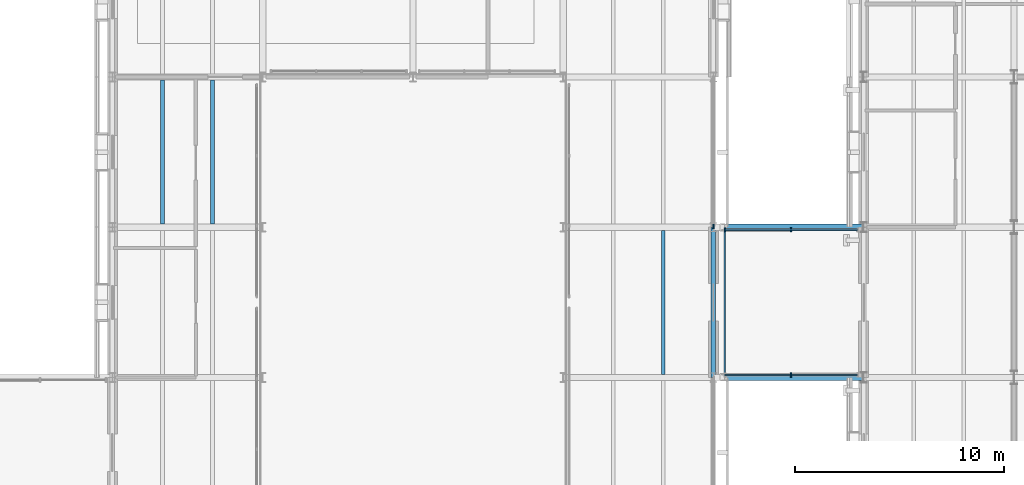
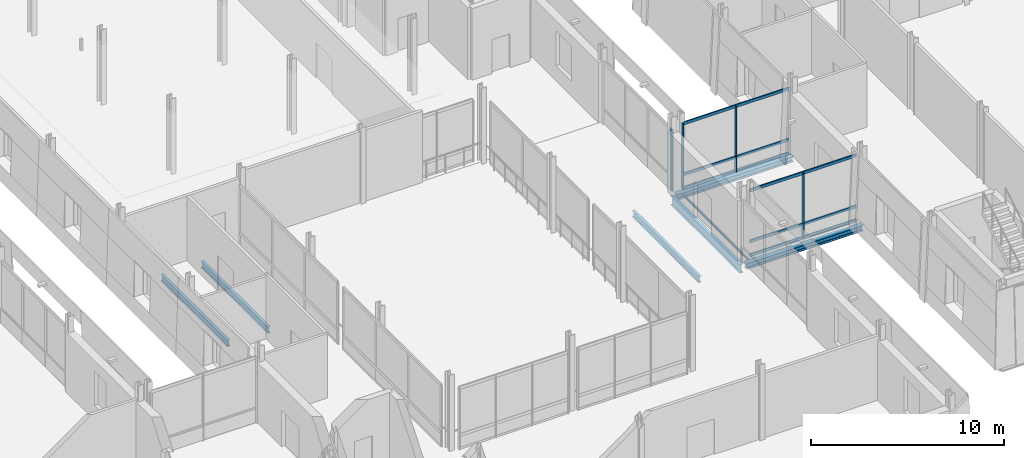
# One storey, part 29 of 121: 10 members, 7 beams, 3 elements without a shape of their own.
"""IFC4 building model written with IfcOpenShell, lengths in metres."""

from ifc_helpers import new_model, si_unit, direction, frame, origin, origin_2d, place, context, subcontext, project, spatial, rectangle, i_section, extrude, material, layer, layer_set, material_profile, profile_set, type_object, element, aggregate, save


model = new_model("IFC4")

# Units and contexts
model_context = context("Model", 3, precision=1e-05, world=origin(), true_north=direction((0.0, 1.0)))
body_context = subcontext(model_context, "Body", "Model", "MODEL_VIEW")
ifc_project = project(units=[si_unit("LENGTHUNIT", "METRE"), si_unit("AREAUNIT", "SQUARE_METRE"), si_unit("VOLUMEUNIT", "CUBIC_METRE"), si_unit("PLANEANGLEUNIT", "RADIAN"), si_unit("MASSUNIT", "GRAM", prefix="KILO")], contexts=[model_context])

# Site, building, storey
site_placement = place(None, origin())
site = spatial("IfcSite", under=ifc_project, at=site_placement, CompositionType="ELEMENT")
building_placement = place(site_placement, origin())
building = spatial("IfcBuilding", under=site, at=building_placement, Name="Narikvali Park Central Library", CompositionType="ELEMENT")
storey_placement = place(building_placement, frame((0.0, 0.0, 5.39990234375)))
storey = spatial("IfcBuildingStorey", under=building, at=storey_placement, Name="L01", CompositionType="ELEMENT", Elevation=5.39990234375)

# Beams
ifc_material_1 = material(Name="Steel S355", Category="steel")
ifc_material_profile_1 = material_profile(ifc_material_1, i_section(OverallWidth=0.300048828125, OverallDepth=0.35009765625, WebThickness=0.010009765625, FlangeThickness=0.017578125, FilletRadius=0.027099609375, at=origin_2d()), Name="HEA 360")
ifc_profile_set_1 = profile_set([ifc_material_profile_1], Name="Steel S355")
beam_type_1 = type_object("IfcBeamType", Name="Bridge Sliding Girder HEA360", PredefinedType="BEAM", material=ifc_profile_set_1)
for number, where, z_axis, x_axis, name in (
    (1, (57.820068359375, 72.0, -0.4248046875), (1.0, 0.0, 0.0), (0.0, 1.0, 0.0), "BRG-2 L01 Sliding Bridge Girder 1-1"),
    (2, (57.820068359375, 79.199951171875, -0.4248046875), (1.0, 0.0, 0.0), (0.0, 1.0, 0.0), "BRG-2 L01 Sliding Bridge Girder 2-1"),
):
    element("IfcBeam", number, at=place(storey_placement, frame(where, z_axis=z_axis, x_axis=x_axis)), inside=storey, type_object=beam_type_1, Name=name, PredefinedType="BEAM", context=body_context, shape_type="SweptSolid", body=[
        extrude(i_section(OverallWidth=0.300048828125, OverallDepth=0.35009765625, WebThickness=0.010009765625, FlangeThickness=0.017578125, FilletRadius=0.027099609375, at=origin_2d()), origin(), (0.0, 0.0, 1.0), 6.969970703125),
    ])

# Curtain wall, members
ifc_material_2 = material(Name="Anodised Bronze Aluminium", Category="aluminium")
ifc_layer_1 = layer(ifc_material_2, 0.219970703125, Name="Anodised Bronze Aluminium")
ifc_layer_set_1 = layer_set([ifc_layer_1], Name="Anodised Bronze Aluminium")
curtain_wall_type_1 = type_object("IfcCurtainWallType", Name="Bridge Covered Passage Glazing System", PredefinedType="NOTDEFINED", material=ifc_layer_set_1)
curtain_wall_1_placement = place(storey_placement, origin())
curtain_wall_1 = element("IfcCurtainWall", 3, at=curtain_wall_1_placement, inside=storey, type_object=curtain_wall_type_1, Name="Bridge Covered Passage Glazing System CW-BRG-2-L01-S1", PredefinedType="NOTDEFINED")
ifc_material_profile_2 = material_profile(ifc_material_2, rectangle(XDim=0.074951171875, YDim=0.179931640625, at=origin_2d()), Name="CW TRANSOM 75x180")
ifc_profile_set_2 = profile_set([ifc_material_profile_2], Name="Anodised Bronze Aluminium")
member_type_1 = type_object("IfcMemberType", Name="Curtain Wall Heavy Transom 75x180", PredefinedType="USERDEFINED", material=ifc_profile_set_2)
member_1_placement = place(storey_placement, frame((58.14990234375, 72.1201171875, 0.030029296875), z_axis=(1.0, 0.0, 0.0), x_axis=(0.0, 1.0, 0.0)))
member_1 = element("IfcMember", 4, at=member_1_placement, type_object=member_type_1, Name="CW-BRG-2-L01-S1 Transom 00", ObjectType="TRANSOM", PredefinedType="USERDEFINED", context=body_context, shape_type="SweptSolid", body=[
    extrude(rectangle(XDim=0.074951171875, YDim=0.179931640625, at=origin_2d()), origin(), (0.0, 0.0, 1.0), 6.35009765625),
])
member_2_placement = place(storey_placement, frame((58.14990234375, 72.1201171875, 0.900146484375), z_axis=(1.0, 0.0, 0.0), x_axis=(0.0, 1.0, 0.0)))
member_2 = element("IfcMember", 5, at=member_2_placement, type_object=member_type_1, Name="CW-BRG-2-L01-S1 Transom 01", ObjectType="TRANSOM", PredefinedType="USERDEFINED", context=body_context, shape_type="SweptSolid", body=[
    extrude(rectangle(XDim=0.074951171875, YDim=0.179931640625, at=origin_2d()), origin(), (0.0, 0.0, 1.0), 6.35009765625),
])
member_3_placement = place(storey_placement, frame((58.14990234375, 72.1201171875, 4.1201171875), z_axis=(1.0, 0.0, 0.0), x_axis=(0.0, 1.0, 0.0)))
member_3 = element("IfcMember", 6, at=member_3_placement, type_object=member_type_1, Name="CW-BRG-2-L01-S1 Transom 02", ObjectType="TRANSOM", PredefinedType="USERDEFINED", context=body_context, shape_type="SweptSolid", body=[
    extrude(rectangle(XDim=0.074951171875, YDim=0.179931640625, at=origin_2d()), origin(), (0.0, 0.0, 1.0), 6.35009765625),
])

curtain_wall_2_placement = place(storey_placement, origin())
curtain_wall_2 = element("IfcCurtainWall", 7, at=curtain_wall_2_placement, inside=storey, type_object=curtain_wall_type_1, Name="Bridge Covered Passage Glazing System CW-BRG-2-L01-N1", PredefinedType="NOTDEFINED")
member_4_placement = place(storey_placement, frame((58.14990234375, 79.080078125, 0.030029296875), z_axis=(1.0, 0.0, 0.0), x_axis=(0.0, 1.0, 0.0)))
member_4 = element("IfcMember", 8, at=member_4_placement, type_object=member_type_1, Name="CW-BRG-2-L01-N1 Transom 00", ObjectType="TRANSOM", PredefinedType="USERDEFINED", context=body_context, shape_type="SweptSolid", body=[
    extrude(rectangle(XDim=0.074951171875, YDim=0.179931640625, at=origin_2d()), origin(), (0.0, 0.0, 1.0), 6.35009765625),
])
member_5_placement = place(storey_placement, frame((58.14990234375, 79.080078125, 0.900146484375), z_axis=(1.0, 0.0, 0.0), x_axis=(0.0, 1.0, 0.0)))
member_5 = element("IfcMember", 9, at=member_5_placement, type_object=member_type_1, Name="CW-BRG-2-L01-N1 Transom 01", ObjectType="TRANSOM", PredefinedType="USERDEFINED", context=body_context, shape_type="SweptSolid", body=[
    extrude(rectangle(XDim=0.074951171875, YDim=0.179931640625, at=origin_2d()), origin(), (0.0, 0.0, 1.0), 6.35009765625),
])
member_6_placement = place(storey_placement, frame((58.14990234375, 79.080078125, 4.1201171875), z_axis=(1.0, 0.0, 0.0), x_axis=(0.0, 1.0, 0.0)))
member_6 = element("IfcMember", 10, at=member_6_placement, type_object=member_type_1, Name="CW-BRG-2-L01-N1 Transom 02", ObjectType="TRANSOM", PredefinedType="USERDEFINED", context=body_context, shape_type="SweptSolid", body=[
    extrude(rectangle(XDim=0.074951171875, YDim=0.179931640625, at=origin_2d()), origin(), (0.0, 0.0, 1.0), 6.35009765625),
])

# Curtain wall, member
ifc_layer_2 = layer(ifc_material_2, 0.219970703125, Name="Anodised Bronze Aluminium")
ifc_layer_set_2 = layer_set([ifc_layer_2], Name="Anodised Bronze Aluminium")
curtain_wall_type_2 = type_object("IfcCurtainWallType", Name="Atrium Tall Curtain Wall System", PredefinedType="NOTDEFINED", material=ifc_layer_set_2)
curtain_wall_3_placement = place(storey_placement, origin())
curtain_wall_3 = element("IfcCurtainWall", 11, at=curtain_wall_3_placement, inside=storey, type_object=curtain_wall_type_2, Name="Atrium Tall Curtain Wall System CW-V4-L01-E-05", PredefinedType="NOTDEFINED")
ifc_material_profile_3 = material_profile(ifc_material_2, rectangle(XDim=0.070068359375, YDim=0.199951171875, at=origin_2d()), Name="CW MULLION 70x200")
ifc_profile_set_3 = profile_set([ifc_material_profile_3], Name="Anodised Bronze Aluminium")
member_type_2 = type_object("IfcMemberType", Name="Curtain Wall Mullion 70x200", PredefinedType="MULLION", material=ifc_profile_set_3)
member_7_placement = place(storey_placement, frame((57.60009765625, 79.238037109375, -0.010009765625), z_axis=(0.0, 0.0, 1.0), x_axis=(1.0, 0.0, 0.0)))
member_7 = element("IfcMember", 12, at=member_7_placement, type_object=member_type_2, Name="CW-V4-L01-E-05 Mullion 00", PredefinedType="MULLION", context=body_context, shape_type="SweptSolid", body=[
    extrude(rectangle(XDim=0.070068359375, YDim=0.199951171875, at=origin_2d()), origin(), (0.0, 0.0, 1.0), 3.91015625),
])
aggregate(curtain_wall_3, [member_7])

# Member
member_8_placement = place(storey_placement, frame((61.324951171875, 72.1201171875, -0.010009765625), z_axis=(0.0, 0.0, 1.0), x_axis=(1.0, 0.0, 0.0)))
member_8 = element("IfcMember", 13, at=member_8_placement, type_object=member_type_2, Name="CW-BRG-2-L01-S1 Mullion 01", PredefinedType="MULLION", context=body_context, shape_type="SweptSolid", body=[
    extrude(rectangle(XDim=0.070068359375, YDim=0.199951171875, at=origin_2d()), origin(), (0.0, 0.0, 1.0), 4.16015625),
])

aggregate(curtain_wall_1, [member_8, member_1, member_2, member_3])

member_9_placement = place(storey_placement, frame((58.14990234375, 79.080078125, -0.010009765625), z_axis=(0.0, 0.0, 1.0), x_axis=(1.0, 0.0, 0.0)))
member_9 = element("IfcMember", 14, at=member_9_placement, type_object=member_type_2, Name="CW-BRG-2-L01-N1 Mullion 00", PredefinedType="MULLION", context=body_context, shape_type="SweptSolid", body=[
    extrude(rectangle(XDim=0.070068359375, YDim=0.199951171875, at=origin_2d()), origin(), (0.0, 0.0, 1.0), 4.16015625),
])

member_10_placement = place(storey_placement, frame((61.324951171875, 79.080078125, -0.010009765625), z_axis=(0.0, 0.0, 1.0), x_axis=(1.0, 0.0, 0.0)))
member_10 = element("IfcMember", 15, at=member_10_placement, type_object=member_type_2, Name="CW-BRG-2-L01-N1 Mullion 01", PredefinedType="MULLION", context=body_context, shape_type="SweptSolid", body=[
    extrude(rectangle(XDim=0.070068359375, YDim=0.199951171875, at=origin_2d()), origin(), (0.0, 0.0, 1.0), 4.16015625),
])

aggregate(curtain_wall_2, [member_9, member_10, member_4, member_5, member_6])

# Beams
ifc_material_profile_4 = material_profile(ifc_material_1, i_section(OverallWidth=0.181884765625, OverallDepth=0.404052734375, WebThickness=0.009765625, FlangeThickness=0.015380859375, FilletRadius=0.02099609375, at=origin_2d()), Name="IPEO 400")
ifc_profile_set_4 = profile_set([ifc_material_profile_4], Name="Steel S355")
beam_type_2 = type_object("IfcBeamType", Name="Gallery Floor Joist IPEO400", PredefinedType="JOIST", material=ifc_profile_set_4)
for number, where, z_axis, x_axis, name in (
    (16, (31.199951171875, 79.35009765625, -0.48193359375), (0.0, 1.0, 0.0), (-1.0, 0.0, 0.0), "V4 L01 Composite Joist 1"),
    (17, (33.60009765625, 79.35009765625, -0.48193359375), (0.0, 1.0, 0.0), (-1.0, 0.0, 0.0), "V4 L01 Composite Joist 2"),
):
    element("IfcBeam", number, at=place(storey_placement, frame(where, z_axis=z_axis, x_axis=x_axis)), inside=storey, type_object=beam_type_2, Name=name, PredefinedType="JOIST", context=body_context, shape_type="SweptSolid", body=[
        extrude(i_section(OverallWidth=0.181884765625, OverallDepth=0.404052734375, WebThickness=0.009765625, FlangeThickness=0.015380859375, FilletRadius=0.02099609375, at=origin_2d()), origin(), (0.0, 0.0, 1.0), 6.89990234375),
    ])
beam_1_placement = place(storey_placement, frame((55.199951171875, 72.14990234375, -0.48193359375), z_axis=(0.0, 1.0, 0.0), x_axis=(-1.0, 0.0, 0.0)))
element("IfcBeam", 18, at=beam_1_placement, inside=storey, type_object=beam_type_2, Name="V4 L01 Composite Joist 2", PredefinedType="JOIST", context=body_context, shape_type="SweptSolid", body=[
    extrude(i_section(OverallWidth=0.181884765625, OverallDepth=0.404052734375, WebThickness=0.009765625, FlangeThickness=0.015380859375, FilletRadius=0.02099609375, at=origin_2d()), origin(), (0.0, 0.0, 1.0), 6.900146484375),
])
ifc_material_profile_5 = material_profile(ifc_material_1, i_section(OverallWidth=0.2099609375, OverallDepth=0.550048828125, WebThickness=0.010986328125, FlangeThickness=0.01708984375, FilletRadius=0.02392578125, at=origin_2d()), Name="IPE 550")
ifc_profile_set_5 = profile_set([ifc_material_profile_5], Name="Steel S355")
beam_type_3 = type_object("IfcBeamType", Name="Perimeter Spandrel IPE550", PredefinedType="SPANDREL", material=ifc_profile_set_5)
beam_2_placement = place(storey_placement, frame((57.60009765625, 72.008056640625, -0.554931640625), z_axis=(0.0, 1.0, 0.0), x_axis=(-1.0, 0.0, 0.0)))
element("IfcBeam", 19, at=beam_2_placement, inside=storey, type_object=beam_type_3, Name="V4 L01 Girder Y", PredefinedType="SPANDREL", context=body_context, shape_type="SweptSolid", body=[
    extrude(i_section(OverallWidth=0.2099609375, OverallDepth=0.550048828125, WebThickness=0.010986328125, FlangeThickness=0.01708984375, FilletRadius=0.02392578125, at=origin_2d()), origin(), (0.0, 0.0, 1.0), 7.183837890625),
])
ifc_material_profile_6 = material_profile(ifc_material_1, i_section(OverallWidth=0.072998046875, OverallDepth=0.139892578125, WebThickness=0.004638671875, FlangeThickness=0.0068359375, FilletRadius=0.007080078125, at=origin_2d()), Name="IPE 140")
ifc_profile_set_6 = profile_set([ifc_material_profile_6], Name="Steel S355")
beam_type_4 = type_object("IfcBeamType", Name="Skylight Curb Trimmer IPE140", PredefinedType="LINTEL", material=ifc_profile_set_6)
beam_3_placement = place(storey_placement, frame((58.14990234375, 72.159912109375, -0.31982421875), z_axis=(0.0, 1.0, 0.0), x_axis=(-1.0, 0.0, 0.0)))
element("IfcBeam", 20, at=beam_3_placement, inside=storey, type_object=beam_type_4, Name="BRG-2 L01 Portal Transverse Lintel", PredefinedType="LINTEL", context=body_context, shape_type="SweptSolid", body=[
    extrude(i_section(OverallWidth=0.072998046875, OverallDepth=0.139892578125, WebThickness=0.004638671875, FlangeThickness=0.0068359375, FilletRadius=0.007080078125, at=origin_2d()), origin(), (0.0, 0.0, 1.0), 6.880126953125),
])

save(model, "model.ifc")
